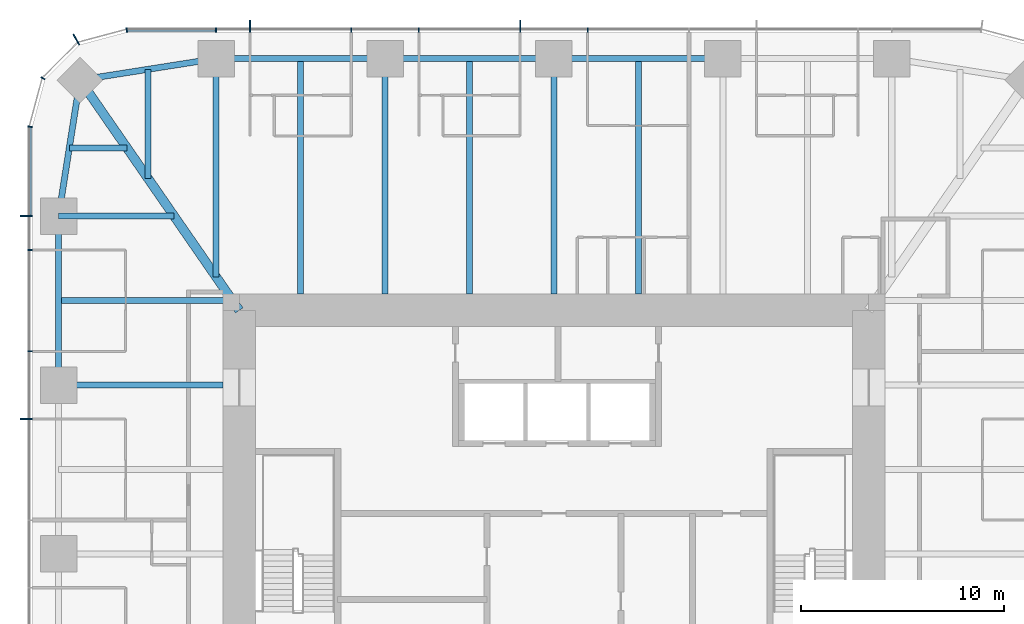
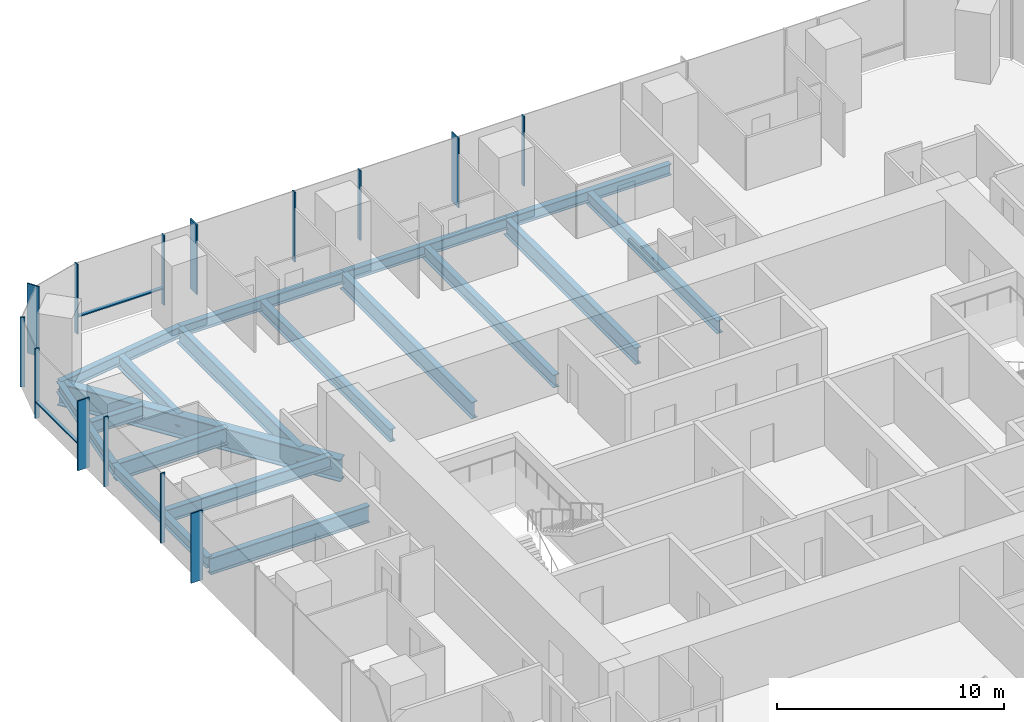
# One storey, part 5 of 13: 18 beams, 16 members, 3 elements without a shape of their own.
"""IFC4 building model written with IfcOpenShell, lengths in metres."""

from ifc_helpers import new_model, si_unit, direction, frame, origin, origin_2d, place, context, subcontext, project, spatial, rectangle, i_section, extrude, material, material_profile, profile_set, type_object, element, aggregate, save


model = new_model("IFC4")

# Units and contexts
model_context = context("Model", 3, precision=1e-05, world=origin(), true_north=direction((0.0, 1.0)))
body_context = subcontext(model_context, "Body", "Model", "MODEL_VIEW")
ifc_project = project(units=[si_unit("LENGTHUNIT", "METRE"), si_unit("AREAUNIT", "SQUARE_METRE"), si_unit("VOLUMEUNIT", "CUBIC_METRE"), si_unit("PLANEANGLEUNIT", "RADIAN"), si_unit("MASSUNIT", "GRAM", prefix="KILO")], contexts=[model_context])

# Site, building, storey
site_placement = place(None, origin())
site = spatial("IfcSite", under=ifc_project, at=site_placement, CompositionType="ELEMENT")
building_placement = place(site_placement, origin())
building = spatial("IfcBuilding", under=site, at=building_placement, Name="Khuree Lantern Residences", CompositionType="ELEMENT")
storey_placement = place(building_placement, frame((0.0, 0.0, 255.75)))
storey = spatial("IfcBuildingStorey", under=building, at=storey_placement, Name="L64", CompositionType="ELEMENT", Elevation=255.75)

# Beams
ifc_material_1 = material(Name="Steel S355", Category="steel")
ifc_material_profile_1 = material_profile(ifc_material_1, i_section(OverallWidth=0.300048828125, OverallDepth=0.68994140625, WebThickness=0.014404296875, FlangeThickness=0.027099609375, FilletRadius=0.027099609375, at=origin_2d()), Name="HE 700 A")
ifc_profile_set_1 = profile_set([ifc_material_profile_1], Name="Steel S355")
beam_type_1 = type_object("IfcBeamType", Name="B-34 SECONDARY BEAM HE 700 A", PredefinedType="BEAM", material=ifc_profile_set_1)
for number, where, z_axis, x_axis, name in (
    (1, (-12.47998046875, 24.39990234375, -0.594970703125), (0.0, -1.0, 0.0), (1.0, 0.0, 0.0), "Secondary beam N1"),
    (2, (-4.159912109375, 24.39990234375, -0.594970703125), (0.0, -1.0, 0.0), (1.0, 0.0, 0.0), "Secondary beam N2"),
    (3, (4.159912109375, 24.39990234375, -0.594970703125), (0.0, -1.0, 0.0), (1.0, 0.0, 0.0), "Secondary beam N3"),
):
    element("IfcBeam", number, at=place(storey_placement, frame(where, z_axis=z_axis, x_axis=x_axis)), inside=storey, type_object=beam_type_1, Name=name, PredefinedType="BEAM", context=body_context, shape_type="SweptSolid", body=[
        extrude(i_section(OverallWidth=0.300048828125, OverallDepth=0.68994140625, WebThickness=0.014404296875, FlangeThickness=0.027099609375, FilletRadius=0.027099609375, at=origin_2d()), origin(), (0.0, 0.0, 1.0), 11.599853515625),
    ])
beam_1_placement = place(storey_placement, frame((-24.39990234375, 12.47998046875, -0.594970703125), z_axis=(1.0, 0.0, 0.0), x_axis=(0.0, 1.0, 0.0)))
element("IfcBeam", 4, at=beam_1_placement, inside=storey, type_object=beam_type_1, Name="Secondary beam W5", PredefinedType="BEAM", context=body_context, shape_type="SweptSolid", body=[
    extrude(i_section(OverallWidth=0.300048828125, OverallDepth=0.68994140625, WebThickness=0.014404296875, FlangeThickness=0.027099609375, FilletRadius=0.027099609375, at=origin_2d()), origin(), (0.0, 0.0, 1.0), 8.56787109375),
])
beam_2_placement = place(storey_placement, frame((-23.872802734375, 19.992919921875, -0.594970703125), z_axis=(1.0, 0.0, 0.0), x_axis=(0.0, 1.0, 0.0)))
element("IfcBeam", 5, at=beam_2_placement, inside=storey, type_object=beam_type_1, Name="Secondary beam W6", PredefinedType="BEAM", context=body_context, shape_type="SweptSolid", body=[
    extrude(i_section(OverallWidth=0.300048828125, OverallDepth=0.68994140625, WebThickness=0.014404296875, FlangeThickness=0.027099609375, FilletRadius=0.027099609375, at=origin_2d()), origin(), (0.0, 0.0, 1.0), 2.845703125),
])
beam_3_placement = place(storey_placement, frame((-19.992919921875, 23.872802734375, -0.594970703125), z_axis=(0.0, -1.0, 0.0), x_axis=(1.0, 0.0, 0.0)))
element("IfcBeam", 6, at=beam_3_placement, inside=storey, type_object=beam_type_1, Name="Secondary beam N6", PredefinedType="BEAM", context=body_context, shape_type="SweptSolid", body=[
    extrude(i_section(OverallWidth=0.300048828125, OverallDepth=0.68994140625, WebThickness=0.014404296875, FlangeThickness=0.027099609375, FilletRadius=0.027099609375, at=origin_2d()), origin(), (0.0, 0.0, 1.0), 5.375732421875),
])
ifc_material_profile_2 = material_profile(ifc_material_1, i_section(OverallWidth=0.300048828125, OverallDepth=0.590087890625, WebThickness=0.012939453125, FlangeThickness=0.02490234375, FilletRadius=0.027099609375, at=origin_2d()), Name="HE 600 A")
ifc_profile_set_2 = profile_set([ifc_material_profile_2], Name="Steel S355")
beam_type_2 = type_object("IfcBeamType", Name="E-34 SPANDREL BEAM HE 600 A", PredefinedType="SPANDREL", material=ifc_profile_set_2)
beam_4_placement = place(storey_placement, frame((-16.639892578125, 24.39990234375, -0.544921875), z_axis=(1.0, 0.0, 0.0), x_axis=(0.0, 1.0, 0.0)))
element("IfcBeam", 7, at=beam_4_placement, inside=storey, type_object=beam_type_2, Name="Spandrel beam N1", PredefinedType="SPANDREL", context=body_context, shape_type="SweptSolid", body=[
    extrude(i_section(OverallWidth=0.300048828125, OverallDepth=0.590087890625, WebThickness=0.012939453125, FlangeThickness=0.02490234375, FilletRadius=0.027099609375, at=origin_2d()), origin(), (0.0, 0.0, 1.0), 8.31982421875),
])
for number, where, z_axis, x_axis, name in (
    (8, (-8.320068359375, 24.39990234375, -0.544921875), (1.0, 0.0, 0.0), (0.0, 1.0, 0.0), "Spandrel beam N2"),
    (9, (0.0, 24.39990234375, -0.544921875), (1.0, 0.0, 0.0), (0.0, 1.0, 0.0), "Spandrel beam N3"),
):
    element("IfcBeam", number, at=place(storey_placement, frame(where, z_axis=z_axis, x_axis=x_axis)), inside=storey, type_object=beam_type_2, Name=name, PredefinedType="SPANDREL", context=body_context, shape_type="SweptSolid", body=[
        extrude(i_section(OverallWidth=0.300048828125, OverallDepth=0.590087890625, WebThickness=0.012939453125, FlangeThickness=0.02490234375, FilletRadius=0.027099609375, at=origin_2d()), origin(), (0.0, 0.0, 1.0), 8.320068359375),
    ])
beam_5_placement = place(storey_placement, frame((-24.39990234375, 8.320068359375, -0.544921875), z_axis=(0.0, 1.0, 0.0), x_axis=(-1.0, 0.0, 0.0)))
element("IfcBeam", 10, at=beam_5_placement, inside=storey, type_object=beam_type_2, Name="Spandrel beam W5", PredefinedType="SPANDREL", context=body_context, shape_type="SweptSolid", body=[
    extrude(i_section(OverallWidth=0.300048828125, OverallDepth=0.590087890625, WebThickness=0.012939453125, FlangeThickness=0.02490234375, FilletRadius=0.027099609375, at=origin_2d()), origin(), (0.0, 0.0, 1.0), 8.31982421875),
])
for number, where, z_axis, x_axis, name in (
    (11, (-24.39990234375, 16.639892578125, -0.544921875), (0.155299507442, 0.98786743189, 0.0), (-0.98786743189, 0.155299507442, 0.0), "Spandrel beam W6"),
    (12, (-23.345703125, 23.345703125, -0.544921875), (0.98786743189, 0.155299507442, 0.0), (-0.155299507442, 0.98786743189, 0.0), "Spandrel beam N6"),
):
    element("IfcBeam", number, at=place(storey_placement, frame(where, z_axis=z_axis, x_axis=x_axis)), inside=storey, type_object=beam_type_2, Name=name, PredefinedType="SPANDREL", context=body_context, shape_type="SweptSolid", body=[
        extrude(i_section(OverallWidth=0.300048828125, OverallDepth=0.590087890625, WebThickness=0.012939453125, FlangeThickness=0.02490234375, FilletRadius=0.027099609375, at=origin_2d()), origin(), (0.0, 0.0, 1.0), 6.7880859375),
    ])

# Curtain wall, members
ifc_material_2 = material(Name="Bronze anodised aluminium", Category="aluminium")
curtain_wall_type_1 = type_object("IfcCurtainWallType", Name="CW-T1 TOWER FACE CURTAIN WALL", PredefinedType="USERDEFINED", material=ifc_material_2)
curtain_wall_1_placement = place(storey_placement, origin())
curtain_wall_1 = element("IfcCurtainWall", 13, at=curtain_wall_1_placement, inside=storey, type_object=curtain_wall_type_1, Name="L64 NORTH FACE CURTAIN WALL", ObjectType="Stick-built curtain wall", PredefinedType="USERDEFINED")
ifc_material_profile_3 = material_profile(ifc_material_2, rectangle(XDim=0.06494140625, YDim=0.60009765625, at=origin_2d()), Name="F1 65X600")
ifc_profile_set_3 = profile_set([ifc_material_profile_3], Name="Bronze anodised aluminium")
member_type_1 = type_object("IfcMemberType", Name="F1 BRONZE FIN MULLION TOWER 65X600", PredefinedType="MULLION", material=ifc_profile_set_3)
member_1_placement = place(storey_placement, frame((-1.6640625, 26.0, 0.0), z_axis=(0.0, 0.0, 1.0), x_axis=(-1.0, 0.0, 0.0)))
member_1 = element("IfcMember", 14, at=member_1_placement, type_object=member_type_1, Name="L64 NORTH FACE FIN MULLION 24", PredefinedType="MULLION", context=body_context, shape_type="SweptSolid", body=[
    extrude(rectangle(XDim=0.06494140625, YDim=0.60009765625, at=origin_2d()), origin(), (0.0, 0.0, 1.0), 3.75),
])
member_2_placement = place(storey_placement, frame((-14.97607421875, 26.0, 0.0), z_axis=(0.0, 0.0, 1.0), x_axis=(-1.0, 0.0, 0.0)))
member_2 = element("IfcMember", 15, at=member_2_placement, type_object=member_type_1, Name="L64 NORTH FACE FIN MULLION 27", PredefinedType="MULLION", context=body_context, shape_type="SweptSolid", body=[
    extrude(rectangle(XDim=0.06494140625, YDim=0.60009765625, at=origin_2d()), origin(), (0.0, 0.0, 1.0), 3.75),
])

# Curtain wall, member
curtain_wall_type_2 = type_object("IfcCurtainWallType", Name="CW-T2 TOWER CORNER CURTAIN WALL", PredefinedType="USERDEFINED", material=ifc_material_2)
curtain_wall_2_placement = place(storey_placement, origin())
curtain_wall_2 = element("IfcCurtainWall", 16, at=curtain_wall_2_placement, inside=storey, type_object=curtain_wall_type_2, Name="L64 NORTH-WEST CORNER CURTAIN WALL", ObjectType="Faceted corner curtain wall", PredefinedType="USERDEFINED")
member_3_placement = place(storey_placement, frame((-23.52490234375, 25.3369140625, 0.0), z_axis=(0.0, 0.0, 1.0), x_axis=(-0.866025409797, -0.499999989586, 0.0)))
member_3 = element("IfcMember", 17, at=member_3_placement, type_object=member_type_1, Name="L64 NORTH-WEST CORNER FIN MULLION 30", PredefinedType="MULLION", context=body_context, shape_type="SweptSolid", body=[
    extrude(rectangle(XDim=0.06494140625, YDim=0.60009765625, at=origin_2d()), origin(), (0.0, 0.0, 1.0), 3.75),
])

# Curtain wall, members
curtain_wall_3_placement = place(storey_placement, origin())
curtain_wall_3 = element("IfcCurtainWall", 18, at=curtain_wall_3_placement, inside=storey, type_object=curtain_wall_type_1, Name="L64 WEST FACE CURTAIN WALL", ObjectType="Stick-built curtain wall", PredefinedType="USERDEFINED")
member_4_placement = place(storey_placement, frame((-26.0, 16.639892578125, 0.0), z_axis=(0.0, 0.0, 1.0), x_axis=(0.0, -1.0, 0.0)))
member_4 = element("IfcMember", 19, at=member_4_placement, type_object=member_type_1, Name="L64 WEST FACE FIN MULLION 33", PredefinedType="MULLION", context=body_context, shape_type="SweptSolid", body=[
    extrude(rectangle(XDim=0.06494140625, YDim=0.60009765625, at=origin_2d()), origin(), (0.0, 0.0, 1.0), 3.75),
])
member_5_placement = place(storey_placement, frame((-26.0, 6.656005859375, 0.0), z_axis=(0.0, 0.0, 1.0), x_axis=(0.0, -1.0, 0.0)))
member_5 = element("IfcMember", 20, at=member_5_placement, type_object=member_type_1, Name="L64 WEST FACE FIN MULLION 36", PredefinedType="MULLION", context=body_context, shape_type="SweptSolid", body=[
    extrude(rectangle(XDim=0.06494140625, YDim=0.60009765625, at=origin_2d()), origin(), (0.0, 0.0, 1.0), 3.75),
])

# Beams
ifc_material_profile_4 = material_profile(ifc_material_1, i_section(OverallWidth=0.300048828125, OverallDepth=0.89990234375, WebThickness=0.0185546875, FlangeThickness=0.034912109375, FilletRadius=0.030029296875, at=origin_2d()), Name="HE 900 B")
ifc_profile_set_4 = profile_set([ifc_material_profile_4], Name="Steel S355")
beam_type_3 = type_object("IfcBeamType", Name="G-34 GIRDER HE 900 B", PredefinedType="BEAM", material=ifc_profile_set_4)
beam_6_placement = place(storey_placement, frame((-16.639892578125, 24.39990234375, -0.699951171875), z_axis=(0.0, -1.0, 0.0), x_axis=(1.0, 0.0, 0.0)))
element("IfcBeam", 21, at=beam_6_placement, inside=storey, type_object=beam_type_3, Name="Girder N1", PredefinedType="BEAM", context=body_context, shape_type="SweptSolid", body=[
    extrude(i_section(OverallWidth=0.300048828125, OverallDepth=0.89990234375, WebThickness=0.0185546875, FlangeThickness=0.034912109375, FilletRadius=0.030029296875, at=origin_2d()), origin(), (0.0, 0.0, 1.0), 10.751220703125),
])
for number, where, z_axis, x_axis, name in (
    (22, (-8.320068359375, 24.39990234375, -0.699951171875), (0.0, -1.0, 0.0), (1.0, 0.0, 0.0), "Girder N2"),
    (23, (0.0, 24.39990234375, -0.699951171875), (0.0, -1.0, 0.0), (1.0, 0.0, 0.0), "Girder N3"),
):
    element("IfcBeam", number, at=place(storey_placement, frame(where, z_axis=z_axis, x_axis=x_axis)), inside=storey, type_object=beam_type_3, Name=name, PredefinedType="BEAM", context=body_context, shape_type="SweptSolid", body=[
        extrude(i_section(OverallWidth=0.300048828125, OverallDepth=0.89990234375, WebThickness=0.0185546875, FlangeThickness=0.034912109375, FilletRadius=0.030029296875, at=origin_2d()), origin(), (0.0, 0.0, 1.0), 11.599853515625),
    ])
beam_7_placement = place(storey_placement, frame((-24.39990234375, 8.320068359375, -0.699951171875), z_axis=(1.0, 0.0, 0.0), x_axis=(0.0, 1.0, 0.0)))
element("IfcBeam", 24, at=beam_7_placement, inside=storey, type_object=beam_type_3, Name="Girder W4", PredefinedType="BEAM", context=body_context, shape_type="SweptSolid", body=[
    extrude(i_section(OverallWidth=0.300048828125, OverallDepth=0.89990234375, WebThickness=0.0185546875, FlangeThickness=0.034912109375, FilletRadius=0.030029296875, at=origin_2d()), origin(), (0.0, 0.0, 1.0), 8.099853515625),
])
beam_8_placement = place(storey_placement, frame((-24.39990234375, 16.639892578125, -0.699951171875), z_axis=(1.0, 0.0, 0.0), x_axis=(0.0, 1.0, 0.0)))
element("IfcBeam", 25, at=beam_8_placement, inside=storey, type_object=beam_type_3, Name="Girder W5", PredefinedType="BEAM", context=body_context, shape_type="SweptSolid", body=[
    extrude(i_section(OverallWidth=0.300048828125, OverallDepth=0.89990234375, WebThickness=0.0185546875, FlangeThickness=0.034912109375, FilletRadius=0.030029296875, at=origin_2d()), origin(), (0.0, 0.0, 1.0), 5.69140625),
])
ifc_material_profile_5 = material_profile(ifc_material_1, i_section(OverallWidth=0.449951171875, OverallDepth=1.199951171875, WebThickness=0.02490234375, FlangeThickness=0.044921875, at=origin_2d()), Name="WELDED I 1200X450X25X45")
ifc_profile_set_5 = profile_set([ifc_material_profile_5], Name="Steel S355")
beam_type_4 = type_object("IfcBeamType", Name="GD-34 CORNER GIRDER WELDED I 1200X450X25X45", PredefinedType="BEAM", material=ifc_profile_set_5)
beam_9_placement = place(storey_placement, frame((-23.345703125, 23.345703125, -0.85009765625), z_axis=(0.56876813501, -0.822497907959, 0.0), x_axis=(0.822497907959, 0.56876813501, 0.0)))
element("IfcBeam", 26, at=beam_9_placement, inside=storey, type_object=beam_type_4, Name="Corner girder NW", PredefinedType="BEAM", context=body_context, shape_type="SweptSolid", body=[
    extrude(i_section(OverallWidth=0.449951171875, OverallDepth=1.199951171875, WebThickness=0.02490234375, FlangeThickness=0.044921875, at=origin_2d()), origin(), (0.0, 0.0, 1.0), 13.794189453125),
])

# Member
ifc_material_profile_6 = material_profile(ifc_material_2, rectangle(XDim=0.06494140625, YDim=0.219970703125, at=origin_2d()), Name="M1 65X220")
ifc_profile_set_6 = profile_set([ifc_material_profile_6], Name="Bronze anodised aluminium")
member_type_2 = type_object("IfcMemberType", Name="M1 BRONZE MULLION TOWER 65X220", PredefinedType="MULLION", material=ifc_profile_set_6)
member_6_placement = place(storey_placement, frame((1.6640625, 25.81005859375, 0.0), z_axis=(0.0, 0.0, 1.0), x_axis=(-1.0, 0.0, 0.0)))
member_6 = element("IfcMember", 27, at=member_6_placement, type_object=member_type_2, Name="L64 NORTH FACE MULLION 23", PredefinedType="MULLION", context=body_context, shape_type="SweptSolid", body=[
    extrude(rectangle(XDim=0.06494140625, YDim=0.219970703125, at=origin_2d()), origin(), (0.0, 0.0, 1.0), 3.75),
])

member_7_placement = place(storey_placement, frame((-6.656005859375, 25.81005859375, 0.0), z_axis=(0.0, 0.0, 1.0), x_axis=(-1.0, 0.0, 0.0)))
member_7 = element("IfcMember", 28, at=member_7_placement, type_object=member_type_2, Name="L64 NORTH FACE MULLION 25", PredefinedType="MULLION", context=body_context, shape_type="SweptSolid", body=[
    extrude(rectangle(XDim=0.06494140625, YDim=0.219970703125, at=origin_2d()), origin(), (0.0, 0.0, 1.0), 3.75),
])

member_8_placement = place(storey_placement, frame((-9.98388671875, 25.81005859375, 0.0), z_axis=(0.0, 0.0, 1.0), x_axis=(-1.0, 0.0, 0.0)))
member_8 = element("IfcMember", 29, at=member_8_placement, type_object=member_type_2, Name="L64 NORTH FACE MULLION 26", PredefinedType="MULLION", context=body_context, shape_type="SweptSolid", body=[
    extrude(rectangle(XDim=0.06494140625, YDim=0.219970703125, at=origin_2d()), origin(), (0.0, 0.0, 1.0), 3.75),
])

member_9_placement = place(storey_placement, frame((-16.639892578125, 25.81005859375, 0.0), z_axis=(0.0, 0.0, 1.0), x_axis=(-1.0, 0.0, 0.0)))
member_9 = element("IfcMember", 30, at=member_9_placement, type_object=member_type_2, Name="L64 NORTH FACE MULLION 28", PredefinedType="MULLION", context=body_context, shape_type="SweptSolid", body=[
    extrude(rectangle(XDim=0.06494140625, YDim=0.219970703125, at=origin_2d()), origin(), (0.0, 0.0, 1.0), 3.75),
])

member_10_placement = place(storey_placement, frame((-21.044921875, 25.811767578125, 0.0), z_axis=(0.0, 0.0, 1.0), x_axis=(-0.991444862943, -0.130526180298, 0.0)))
member_10 = element("IfcMember", 31, at=member_10_placement, type_object=member_type_2, Name="L64 NORTH-WEST CORNER MULLION 29", PredefinedType="MULLION", context=body_context, shape_type="SweptSolid", body=[
    extrude(rectangle(XDim=0.06494140625, YDim=0.219970703125, at=origin_2d()), origin(), (0.0, 0.0, 1.0), 3.75),
])

member_11_placement = place(storey_placement, frame((-25.17236328125, 23.429931640625, 0.0), z_axis=(0.0, 0.0, 1.0), x_axis=(-0.499999989586, -0.866025409797, 0.0)))
member_11 = element("IfcMember", 32, at=member_11_placement, type_object=member_type_2, Name="L64 NORTH-WEST CORNER MULLION 31", PredefinedType="MULLION", context=body_context, shape_type="SweptSolid", body=[
    extrude(rectangle(XDim=0.06494140625, YDim=0.219970703125, at=origin_2d()), origin(), (0.0, 0.0, 1.0), 3.75),
])

aggregate(curtain_wall_2, [member_10, member_3, member_11])

member_12_placement = place(storey_placement, frame((-25.811767578125, 21.044921875, 0.0), z_axis=(0.0, 0.0, 1.0), x_axis=(-0.130526180298, -0.991444862943, 0.0)))
member_12 = element("IfcMember", 33, at=member_12_placement, type_object=member_type_2, Name="L64 WEST FACE MULLION 32", PredefinedType="MULLION", context=body_context, shape_type="SweptSolid", body=[
    extrude(rectangle(XDim=0.06494140625, YDim=0.219970703125, at=origin_2d()), origin(), (0.0, 0.0, 1.0), 3.75),
])

member_13_placement = place(storey_placement, frame((-25.81005859375, 14.97607421875, 0.0), z_axis=(0.0, 0.0, 1.0), x_axis=(0.0, -1.0, 0.0)))
member_13 = element("IfcMember", 34, at=member_13_placement, type_object=member_type_2, Name="L64 WEST FACE MULLION 34", PredefinedType="MULLION", context=body_context, shape_type="SweptSolid", body=[
    extrude(rectangle(XDim=0.06494140625, YDim=0.219970703125, at=origin_2d()), origin(), (0.0, 0.0, 1.0), 3.75),
])

member_14_placement = place(storey_placement, frame((-25.81005859375, 9.98388671875, 0.0), z_axis=(0.0, 0.0, 1.0), x_axis=(0.0, -1.0, 0.0)))
member_14 = element("IfcMember", 35, at=member_14_placement, type_object=member_type_2, Name="L64 WEST FACE MULLION 35", PredefinedType="MULLION", context=body_context, shape_type="SweptSolid", body=[
    extrude(rectangle(XDim=0.06494140625, YDim=0.219970703125, at=origin_2d()), origin(), (0.0, 0.0, 1.0), 3.75),
])

ifc_material_profile_7 = material_profile(ifc_material_2, rectangle(XDim=0.179931640625, YDim=0.06494140625, at=origin_2d()), Name="T1 180X65")
ifc_profile_set_7 = profile_set([ifc_material_profile_7], Name="Bronze anodised aluminium")
member_type_3 = type_object("IfcMemberType", Name="TRANSOM T1 TOWER 180X65", PredefinedType="USERDEFINED", material=ifc_profile_set_7)
member_15_placement = place(storey_placement, frame((-16.672607421875, 25.820068359375, 0.89990234375), z_axis=(-1.0, 0.0, 0.0), x_axis=(0.0, -1.0, 0.0)))
member_15 = element("IfcMember", 36, at=member_15_placement, type_object=member_type_3, Name="L64 NORTH FACE TRANSOM 28.1", ObjectType="Transom", PredefinedType="USERDEFINED", context=body_context, shape_type="SweptSolid", body=[
    extrude(rectangle(XDim=0.179931640625, YDim=0.06494140625, at=origin_2d()), origin(), (0.0, 0.0, 1.0), 4.328857421875),
])

aggregate(curtain_wall_1, [member_6, member_1, member_7, member_8, member_2, member_9, member_15])

member_16_placement = place(storey_placement, frame((-25.820068359375, 21.00146484375, 0.89990234375), z_axis=(0.0, -1.0, 0.0), x_axis=(1.0, 0.0, 0.0)))
member_16 = element("IfcMember", 37, at=member_16_placement, type_object=member_type_3, Name="L64 WEST FACE TRANSOM 32.1", ObjectType="Transom", PredefinedType="USERDEFINED", context=body_context, shape_type="SweptSolid", body=[
    extrude(rectangle(XDim=0.179931640625, YDim=0.06494140625, at=origin_2d()), origin(), (0.0, 0.0, 1.0), 4.328857421875),
])

aggregate(curtain_wall_3, [member_12, member_4, member_13, member_14, member_5, member_16])

save(model, "model.ifc")
